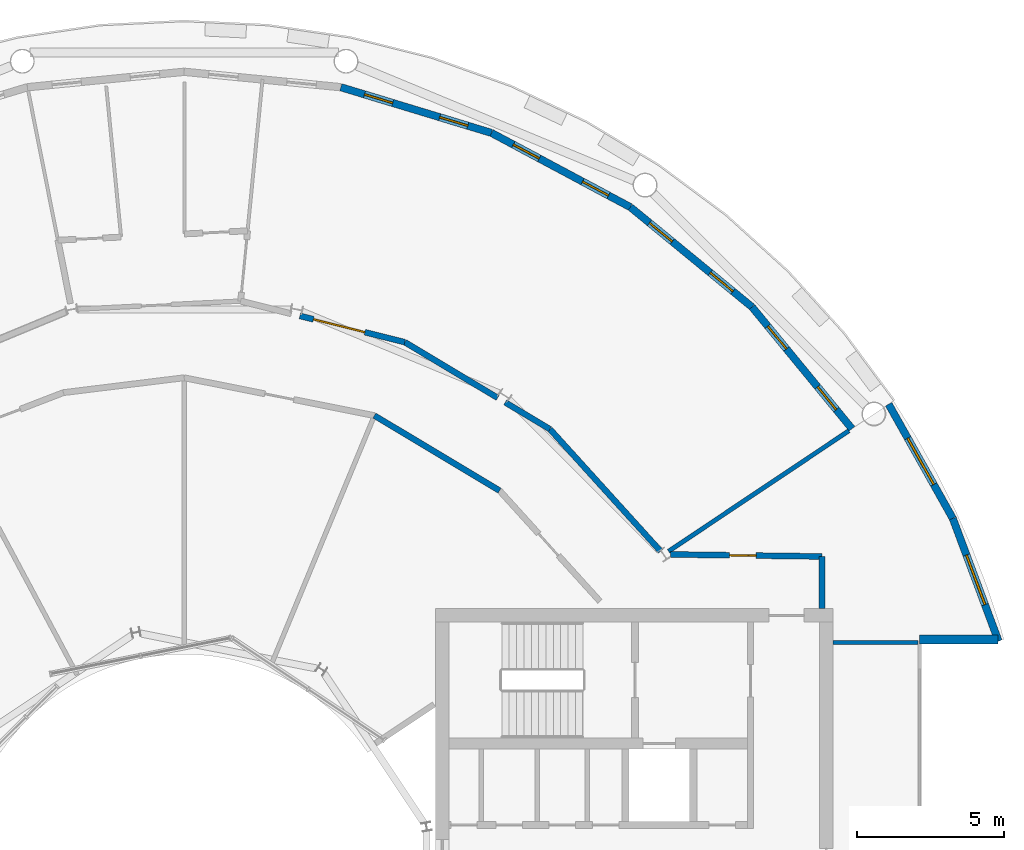
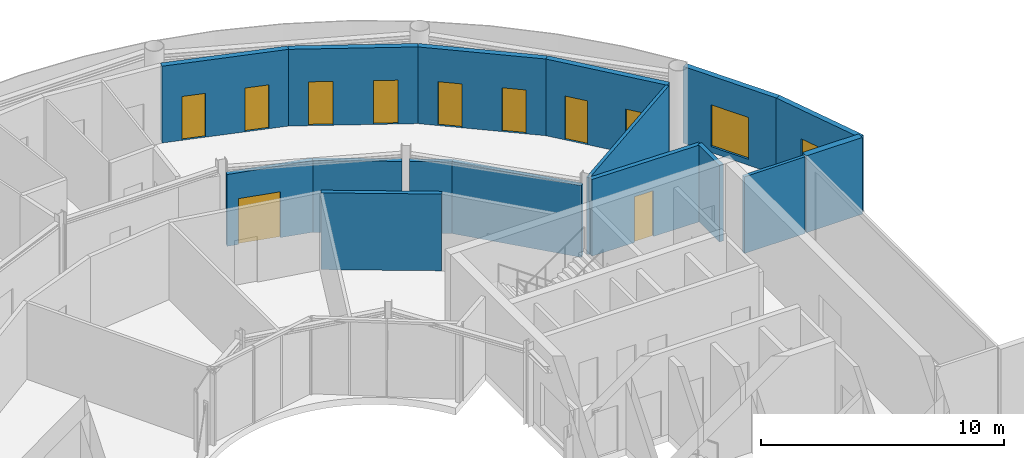
# One storey, part 19 of 22: 16 walls, 10 doors, 2 windows, 12 openings.
"""IFC4 building model written with IfcOpenShell, lengths in metres."""

import ifcopenshell
import ifcopenshell.guid

model = None  # the IFC model being written
_history = None  # IfcOwnerHistory: only IFC2X3 demands one
_inside = {}  # id of a spatial element -> (the spatial element, [elements in it])
_under = {}  # id of a project, library or spatial element -> (it, [spatial elements below it])
_declared = {}  # id of a project -> (the project, [libraries it declares])
_typed = {}  # id of a type object -> (the type object, [elements of that type])
_made_of = {}  # id of a material, layer set ... -> (it, [elements and type objects made of it])


def new_model(schema):
    """Start an empty IFC model of exactly this schema.

    Asked for "IFC4X3", IfcOpenShell would pick the latest addendum, in which some entities
    have other attributes; the version numbers below select the first issue.
    IFC2X3 requires an IfcOwnerHistory on every rooted entity: one is made here for all.
    """
    global model, _history
    if schema == "IFC4X3":
        model = ifcopenshell.file(schema_version=(4, 3, 0, 0))
    else:
        model = ifcopenshell.file(schema=schema)
    _inside.clear()
    _under.clear()
    _declared.clear()
    _typed.clear()
    _made_of.clear()
    _history = None
    if model.schema == "IFC2X3":
        org = make("IfcOrganization", Name="unknown")
        user = make(
            "IfcPersonAndOrganization",
            ThePerson=make("IfcPerson", FamilyName="unknown"),
            TheOrganization=org,
        )
        app = make(
            "IfcApplication",
            ApplicationDeveloper=org,
            Version="unknown",
            ApplicationFullName="unknown",
            ApplicationIdentifier="unknown",
        )
        _history = make(
            "IfcOwnerHistory",
            OwningUser=user,
            OwningApplication=app,
            ChangeAction="ADDED",
            CreationDate=0,
        )
    return model


def make(cls, **values):
    """One entity of the class cls with the attributes given. An attribute that is None is left unset."""
    return model.create_entity(
        cls, **{name: value for name, value in values.items() if value is not None}
    )


def rooted(cls, **values):
    """An entity with a GlobalId (a new one), such as an element, a storey or a relation."""
    return make(cls, GlobalId=ifcopenshell.guid.new(), OwnerHistory=_history, **values)


def si_unit(unit_type, name, prefix=None):
    """IfcSIUnit, for example si_unit("LENGTHUNIT", "METRE", prefix="MILLI")."""
    return make("IfcSIUnit", UnitType=unit_type, Prefix=prefix, Name=name)


def assignment(units):
    """IfcUnitAssignment: the units of a project."""
    return None if units is None else make("IfcUnitAssignment", Units=units)


def point(xyz):
    """IfcCartesianPoint."""
    return None if xyz is None else make("IfcCartesianPoint", Coordinates=xyz)


def direction(xyz):
    """IfcDirection."""
    return None if xyz is None else make("IfcDirection", DirectionRatios=xyz)


def frame(location, z_axis=None, x_axis=None):
    """IfcAxis2Placement3D, a coordinate frame: its origin and axes. An axis left out is left unset."""
    return make(
        "IfcAxis2Placement3D",
        Location=point(location),
        Axis=direction(z_axis),
        RefDirection=direction(x_axis),
    )


def frame_2d(location, x_axis=None):
    """IfcAxis2Placement2D, a coordinate frame in the plane: its origin and x axis."""
    return make(
        "IfcAxis2Placement2D", Location=point(location), RefDirection=direction(x_axis)
    )


def origin():
    """The frame at (0, 0, 0) with its axes left unset."""
    return frame((0.0, 0.0, 0.0))


def place(relative_to, where):
    """IfcLocalPlacement: puts the frame where relative to a parent placement (None: the world)."""
    return make(
        "IfcLocalPlacement", PlacementRelTo=relative_to, RelativePlacement=where
    )


def context(
    kind, dimensions, precision=None, world=None, true_north=None, identifier=None
):
    """IfcGeometricRepresentationContext, for example the 3D "Model" context."""
    return make(
        "IfcGeometricRepresentationContext",
        ContextIdentifier=identifier,
        ContextType=kind,
        CoordinateSpaceDimension=dimensions,
        Precision=precision,
        WorldCoordinateSystem=world,
        TrueNorth=true_north,
    )


def subcontext(parent, identifier, kind, view, scale=None):
    """IfcGeometricRepresentationSubContext, for example "Body" below "Model"."""
    return make(
        "IfcGeometricRepresentationSubContext",
        ContextIdentifier=identifier,
        ContextType=kind,
        ParentContext=parent,
        TargetScale=scale,
        TargetView=view,
    )


def project(units=None, contexts=None):
    """IfcProject with its units and contexts."""
    return rooted(
        "IfcProject",
        Name="project",
        RepresentationContexts=contexts,
        UnitsInContext=assignment(units),
    )


def spatial(cls, under=None, at=None, **own):
    """A site, building, storey or space (cls), placed at a placement, below another one or the project."""
    s = rooted(cls, ObjectPlacement=at, **own)
    if under is not None:
        _under.setdefault(under.id(), (under, []))[1].append(s)
    return s


def profile(cls, at=None, kind="AREA", **sizes):
    """A parametric profile (cls). Its sizes go by their IFC names, for example OverallWidth=200.0."""
    return make(cls, ProfileType=kind, Position=at, **sizes)


def rectangle(**sizes):
    """IfcRectangleProfileDef."""
    return profile("IfcRectangleProfileDef", **sizes)


def extrude(swept, where, along, depth):
    """IfcExtrudedAreaSolid: the profile swept, set in the frame where, extruded along a direction by depth."""
    return make(
        "IfcExtrudedAreaSolid",
        SweptArea=swept,
        Position=where,
        ExtrudedDirection=direction(along),
        Depth=depth,
    )


def shape(context_of_items, identifier, shape_type, items):
    """IfcShapeRepresentation: the items that make up one representation, for example the "Body"."""
    return make(
        "IfcShapeRepresentation",
        ContextOfItems=context_of_items,
        RepresentationIdentifier=identifier,
        RepresentationType=shape_type,
        Items=items,
    )


def material(Name=None, Category=None):
    """IfcMaterial."""
    return make("IfcMaterial", Name=Name, Category=Category)


def layer(
    of_material, thickness, ventilated=None, Name=None, Category=None, Priority=None
):
    """IfcMaterialLayer: one layer of a wall or slab, of a material (None: an air gap)."""
    return make(
        "IfcMaterialLayer",
        Material=of_material,
        LayerThickness=thickness,
        IsVentilated=ventilated,
        Name=Name,
        Category=Category,
        Priority=Priority,
    )


def layer_set(layers, Name=None):
    """IfcMaterialLayerSet."""
    return make("IfcMaterialLayerSet", MaterialLayers=layers, LayerSetName=Name)


def made_of(thing, what):
    """Note that an element or type object is made of a material, layer set ...; save() writes the relation."""
    if what is not None:
        _made_of.setdefault(what.id(), (what, []))[1].append(thing)
    return thing


def type_object(cls, material=None, **own):
    """A type object (cls), such as IfcWallType, which elements share."""
    return made_of(rooted(cls, **own), material)


def element(
    cls,
    number,
    at=None,
    inside=None,
    cuts=None,
    type_object=None,
    material=None,
    context=None,
    identifier="Body",
    shape_type=None,
    held_by="IfcProductDefinitionShape",
    body=None,
    shapes=None,
    **own,
):
    """One element of the class cls, such as IfcWall. Its Tag is "e" and its number.

    at: its placement. inside: the storey or other place that contains it. cuts: it is an
    opening in that element (IfcRelVoidsElement). A single representation is given by context,
    identifier, shape_type and body (its items); several are given by shapes. held_by: the class
    of the entity that holds the representations. save() writes the other relations.
    """
    e = rooted(cls, Tag="e%d" % number, ObjectPlacement=at, **own)
    if body is not None:
        shapes = [shape(context, identifier, shape_type, body)]
    if shapes is not None:
        e.Representation = make(held_by, Representations=shapes)
    if inside is not None:
        _inside.setdefault(inside.id(), (inside, []))[1].append(e)
    if cuts is not None:
        rooted(
            "IfcRelVoidsElement", RelatingBuildingElement=cuts, RelatedOpeningElement=e
        )
    if type_object is not None:
        _typed.setdefault(type_object.id(), (type_object, []))[1].append(e)
    return made_of(e, material)


def fill(opening, filler):
    """IfcRelFillsElement: the door or window that sits in an opening."""
    return rooted(
        "IfcRelFillsElement",
        RelatingOpeningElement=opening,
        RelatedBuildingElement=filler,
    )


def aggregate(whole, parts):
    """IfcRelAggregates: a whole, such as a stair, and the parts it consists of."""
    return rooted("IfcRelAggregates", RelatingObject=whole, RelatedObjects=parts)


def save(model, path):
    """Write the relations noted so far, then the file.

    IfcRelAggregates (storeys below a building ...), IfcRelContainedInSpatialStructure (elements
    in a storey), IfcRelDefinesByType, IfcRelAssociatesMaterial and IfcRelDeclares: one each for
    every whole, place, type object, material and project.
    """
    for whole, parts in _under.values():
        aggregate(whole, parts)
    for where, things in _inside.values():
        rooted(
            "IfcRelContainedInSpatialStructure",
            RelatedElements=things,
            RelatingStructure=where,
        )
    for kind, things in _typed.values():
        rooted("IfcRelDefinesByType", RelatedObjects=things, RelatingType=kind)
    for what, things in _made_of.values():
        rooted("IfcRelAssociatesMaterial", RelatedObjects=things, RelatingMaterial=what)
    for by, libraries in _declared.values():
        rooted("IfcRelDeclares", RelatingContext=by, RelatedDefinitions=libraries)
    model.write(path)


model = new_model("IFC4")

# Units and contexts
model_context = context("Model", 3, precision=1e-05, world=origin(), true_north=direction((0.0, 1.0)))
body_context = subcontext(model_context, "Body", "Model", "MODEL_VIEW")
ifc_project = project(units=[si_unit("LENGTHUNIT", "METRE"), si_unit("AREAUNIT", "SQUARE_METRE"), si_unit("VOLUMEUNIT", "CUBIC_METRE"), si_unit("PLANEANGLEUNIT", "RADIAN"), si_unit("MASSUNIT", "GRAM", prefix="KILO")], contexts=[model_context])

# Site, building, storey
site_placement = place(None, origin())
site = spatial("IfcSite", under=ifc_project, at=site_placement, CompositionType="ELEMENT")
building_placement = place(site_placement, origin())
building = spatial("IfcBuilding", under=site, at=building_placement, Name="Maasbend Ring Residences", CompositionType="ELEMENT")
storey_placement = place(building_placement, frame((0.0, 0.0, 208.5)))
storey = spatial("IfcBuildingStorey", under=building, at=storey_placement, Name="L60", CompositionType="ELEMENT", Elevation=208.5)

# Wall
ifc_material_1 = material(Name="Concrete C30/37", Category="concrete")
ifc_layer_1 = layer(ifc_material_1, 0.199951171875)
ifc_layer_set_1 = layer_set([ifc_layer_1], Name="Concrete C30/37")
wall_type_1 = type_object("IfcWallType", Name="CORRIDOR WALL 200 CONCRETE", PredefinedType="PARTITIONING", material=ifc_layer_set_1)
wall_1_placement = place(storey_placement, frame((21.675048828125, 9.050048828125, 0.0), z_axis=(0.0, 0.0, 1.0), x_axis=(0.0, 1.0, 0.0)))
element("IfcWall", 1, at=wall_1_placement, inside=storey, type_object=wall_type_1, Name="U-L60-w003", PredefinedType="PARTITIONING", context=body_context, shape_type="SweptSolid", body=[
    extrude(rectangle(XDim=1.77490234375, YDim=0.199951171875, at=frame_2d((0.887451171875, 0.0))), origin(), (0.0, 0.0, 1.0), 3.85009765625),
])

# Wall, opening, door
wall_2_placement = place(storey_placement, frame((16.533935546875, 10.89404296875, 0.0), z_axis=(0.0, 0.0, 1.0), x_axis=(0.999909707888, -0.013437859594, 0.0)))
wall_2 = element("IfcWall", 2, at=wall_2_placement, inside=storey, type_object=wall_type_1, Name="U-L60-w049", PredefinedType="PARTITIONING", context=body_context, shape_type="SweptSolid", body=[
    extrude(rectangle(XDim=5.1416015625, YDim=0.199951171875, at=frame_2d((2.57080078125, 0.0))), origin(), (0.0, 0.0, 1.0), 3.85009765625),
])
opening_1_placement = place(wall_2_placement, frame((2.008056640625, 0.0, 0.0)))
opening_1 = element("IfcOpeningElement", 3, at=opening_1_placement, cuts=wall_2, Name="Opening D-6026", PredefinedType="OPENING", context=body_context, shape_type="SweptSolid", body=[
    extrude(rectangle(XDim=0.89990234375, YDim=2.300048828125, at=frame_2d((0.449951171875, 1.14990234375))), frame((0.0, 0.10986328125, 0.0), z_axis=(0.0, -1.0, 0.0), x_axis=(1.0, 0.0, 0.0)), (0.0, 0.0, 1.0), 0.219970703125),
])
ifc_material_2 = material(Name="Steel, fire-rated, painted", Category="steel")
door_type_1 = type_object("IfcDoorType", Name="SERVICE DOOR 900 X 2300 FIRE-RATED", OperationType="NOTDEFINED", PredefinedType="DOOR", material=ifc_material_2)
door_1_placement = place(opening_1_placement, origin())
door_1 = element("IfcDoor", 4, at=door_1_placement, inside=storey, type_object=door_type_1, Name="D-6026", OperationType="SINGLE_SWING_LEFT", OverallHeight=2.300048828125, OverallWidth=0.89990234375, PredefinedType="DOOR", context=body_context, shape_type="SweptSolid", body=[
    extrude(rectangle(XDim=0.89990234375, YDim=2.300048828125, at=frame_2d((0.449951171875, 1.14990234375))), frame((0.0, 0.02490234375, 0.0), z_axis=(0.0, -1.0, 0.0), x_axis=(1.0, 0.0, 0.0)), (0.0, 0.0, 1.0), 0.050048828125),
])
fill(opening_1, door_1)

# Wall
wall_3_placement = place(storey_placement, frame((6.467041015625, 15.614013671875, 0.0), z_axis=(0.0, 0.0, 1.0), x_axis=(0.857696997328, -0.514155483074, 0.0)))
element("IfcWall", 5, at=wall_3_placement, inside=storey, type_object=wall_type_1, Name="U-L60-w051", PredefinedType="PARTITIONING", context=body_context, shape_type="SweptSolid", body=[
    extrude(rectangle(XDim=4.959716796875, YDim=0.199951171875, at=frame_2d((2.47998046875, 0.0))), origin(), (0.0, 0.0, 1.0), 3.85009765625),
])

# Wall, opening, door
wall_4_placement = place(storey_placement, frame((3.93310546875, 19.001953125, 0.0), z_axis=(0.0, 0.0, 1.0), x_axis=(0.970009604092, -0.243066591637, 0.0)))
wall_4 = element("IfcWall", 6, at=wall_4_placement, inside=storey, type_object=wall_type_1, Name="U-L60-w061", PredefinedType="PARTITIONING", context=body_context, shape_type="SweptSolid", body=[
    extrude(rectangle(XDim=3.67822265625, YDim=0.199951171875, at=frame_2d((1.839111328125, 0.0))), origin(), (0.0, 0.0, 1.0), 3.60009765625),
])
opening_2_placement = place(wall_4_placement, frame((0.47607421875, 0.0, 0.0)))
opening_2 = element("IfcOpeningElement", 7, at=opening_2_placement, cuts=wall_4, Name="Opening D-6008", PredefinedType="OPENING", context=body_context, shape_type="SweptSolid", body=[
    extrude(rectangle(XDim=1.800048828125, YDim=2.300048828125, at=frame_2d((0.89990234375, 1.14990234375))), frame((0.0, 0.10986328125, 0.0), z_axis=(0.0, -1.0, 0.0), x_axis=(1.0, 0.0, 0.0)), (0.0, 0.0, 1.0), 0.219970703125),
])
ifc_material_3 = material(Name="Timber, painted", Category="wood")
door_type_2 = type_object("IfcDoorType", Name="DOUBLE DOOR 1800 X 2300", OperationType="NOTDEFINED", PredefinedType="DOOR", material=ifc_material_3)
door_2_placement = place(opening_2_placement, origin())
door_2 = element("IfcDoor", 8, at=door_2_placement, inside=storey, type_object=door_type_2, Name="D-6008", OperationType="DOUBLE_DOOR_SINGLE_SWING", OverallHeight=2.300048828125, OverallWidth=1.800048828125, PredefinedType="DOOR", context=body_context, shape_type="SweptSolid", body=[
    extrude(rectangle(XDim=1.800048828125, YDim=2.300048828125, at=frame_2d((0.89990234375, 1.14990234375))), frame((0.0, 0.02490234375, 0.0), z_axis=(0.0, -1.0, 0.0), x_axis=(1.0, 0.0, 0.0)), (0.0, 0.0, 1.0), 0.050048828125),
])
fill(opening_2, door_2)

# Walls
wall_5_placement = place(storey_placement, frame((7.5009765625, 18.10791015625, 0.0), z_axis=(0.0, 0.0, 1.0), x_axis=(0.857750505244, -0.514066212421, 0.0)))
element("IfcWall", 9, at=wall_5_placement, inside=storey, type_object=wall_type_1, Name="U-L60-w062", PredefinedType="PARTITIONING", context=body_context, shape_type="SweptSolid", body=[
    extrude(rectangle(XDim=3.67822265625, YDim=0.199951171875, at=frame_2d((1.839111328125, 0.0))), origin(), (0.0, 0.0, 1.0), 3.60009765625),
])
wall_6_placement = place(storey_placement, frame((10.9130859375, 16.06298828125, 0.0), z_axis=(0.0, 0.0, 1.0), x_axis=(0.857614365469, -0.514293301668, 0.0)))
element("IfcWall", 10, at=wall_6_placement, inside=storey, type_object=wall_type_1, Name="U-L60-w063", PredefinedType="PARTITIONING", context=body_context, shape_type="SweptSolid", body=[
    extrude(rectangle(XDim=1.7734375, YDim=0.199951171875, at=frame_2d((0.88671875, 0.0))), origin(), (0.0, 0.0, 1.0), 3.60009765625),
])
wall_7_placement = place(storey_placement, frame((12.43408203125, 15.15087890625, 0.0), z_axis=(0.0, 0.0, 1.0), x_axis=(0.671619657805, -0.740896102871, 0.0)))
element("IfcWall", 11, at=wall_7_placement, inside=storey, type_object=wall_type_1, Name="U-L60-w064", PredefinedType="PARTITIONING", context=body_context, shape_type="SweptSolid", body=[
    extrude(rectangle(XDim=5.599853515625, YDim=0.199951171875, at=frame_2d((2.7998046875, 0.0))), origin(), (0.0, 0.0, 1.0), 3.60009765625),
])

# Wall, openings, doors
ifc_material_4 = material(Name="Aluminium clad insulated panel", Category="aluminium")
ifc_layer_2 = layer(ifc_material_4, 0.25)
ifc_layer_set_2 = layer_set([ifc_layer_2], Name="EW-GL")
wall_type_2 = type_object("IfcWallType", Name="EW-GL", PredefinedType="SOLIDWALL", material=ifc_layer_set_2)
wall_8_placement = place(storey_placement, frame((22.698974609375, 15.1669921875, 0.0), z_axis=(0.0, 0.0, 1.0), x_axis=(-0.634382322723, 0.773019449054, 0.0)))
wall_8 = element("IfcWall", 12, at=wall_8_placement, inside=storey, type_object=wall_type_2, Name="External wall N01", PredefinedType="SOLIDWALL", context=body_context, shape_type="SweptSolid", body=[
    extrude(rectangle(XDim=5.351806640625, YDim=0.25, at=frame_2d((2.67578125, 0.0))), origin(), (0.0, 0.0, 1.0), 3.85009765625),
])
opening_3_placement = place(wall_8_placement, frame((0.841064453125, 0.0, 0.0)))
opening_3 = element("IfcOpeningElement", 13, at=opening_3_placement, cuts=wall_8, Name="Opening D-LG", PredefinedType="OPENING", context=body_context, shape_type="SweptSolid", body=[
    extrude(rectangle(XDim=1.0, YDim=2.199951171875, at=frame_2d((0.5, 1.10009765625))), frame((0.0, 0.135009765625, 0.0), z_axis=(0.0, -1.0, 0.0), x_axis=(1.0, 0.0, 0.0)), (0.0, 0.0, 1.0), 0.27001953125),
])
opening_4_placement = place(wall_8_placement, frame((3.510498046875, 0.0, 0.0)))
opening_4 = element("IfcOpeningElement", 14, at=opening_4_placement, cuts=wall_8, Name="Opening D-LG", PredefinedType="OPENING", context=body_context, shape_type="SweptSolid", body=[
    extrude(rectangle(XDim=1.0, YDim=2.199951171875, at=frame_2d((0.5, 1.10009765625))), frame((0.0, 0.135009765625, 0.0), z_axis=(0.0, -1.0, 0.0), x_axis=(1.0, 0.0, 0.0)), (0.0, 0.0, 1.0), 0.27001953125),
])
ifc_material_5 = material(Name="Aluminium and clear glass", Category="aluminium")
door_type_3 = type_object("IfcDoorType", Name="D-LG", OperationType="SINGLE_SWING_LEFT", PredefinedType="DOOR", material=ifc_material_5)
door_3_placement = place(opening_3_placement, origin())
door_3 = element("IfcDoor", 15, at=door_3_placement, inside=storey, type_object=door_type_3, Name="Loggia door N01", OperationType="SINGLE_SWING_LEFT", OverallHeight=2.199951171875, OverallWidth=1.0, PredefinedType="DOOR", context=body_context, shape_type="SweptSolid", body=[
    extrude(rectangle(XDim=1.0, YDim=2.199951171875, at=frame_2d((0.5, 1.10009765625))), frame((0.0, 0.02490234375, 0.0), z_axis=(0.0, -1.0, 0.0), x_axis=(1.0, 0.0, 0.0)), (0.0, 0.0, 1.0), 0.050048828125),
])
fill(opening_3, door_3)
door_4_placement = place(opening_4_placement, origin())
door_4 = element("IfcDoor", 16, at=door_4_placement, inside=storey, type_object=door_type_3, Name="Loggia door N02", OperationType="SINGLE_SWING_LEFT", OverallHeight=2.199951171875, OverallWidth=1.0, PredefinedType="DOOR", context=body_context, shape_type="SweptSolid", body=[
    extrude(rectangle(XDim=1.0, YDim=2.199951171875, at=frame_2d((0.5, 1.10009765625))), frame((0.0, 0.02490234375, 0.0), z_axis=(0.0, -1.0, 0.0), x_axis=(1.0, 0.0, 0.0)), (0.0, 0.0, 1.0), 0.050048828125),
])
fill(opening_4, door_4)

wall_9_placement = place(storey_placement, frame((19.303955078125, 19.303955078125, 0.0), z_axis=(0.0, 0.0, 1.0), x_axis=(-0.773019449054, 0.634382322723, 0.0)))
wall_9 = element("IfcWall", 17, at=wall_9_placement, inside=storey, type_object=wall_type_2, Name="External wall N02", PredefinedType="SOLIDWALL", context=body_context, shape_type="SweptSolid", body=[
    extrude(rectangle(XDim=5.351806640625, YDim=0.25, at=frame_2d((2.67578125, 0.0))), origin(), (0.0, 0.0, 1.0), 3.85009765625),
])
opening_5_placement = place(wall_9_placement, frame((0.841064453125, 0.0, 0.0)))
opening_5 = element("IfcOpeningElement", 18, at=opening_5_placement, cuts=wall_9, Name="Opening D-LG", PredefinedType="OPENING", context=body_context, shape_type="SweptSolid", body=[
    extrude(rectangle(XDim=1.0, YDim=2.199951171875, at=frame_2d((0.5, 1.10009765625))), frame((0.0, 0.135009765625, 0.0), z_axis=(0.0, -1.0, 0.0), x_axis=(1.0, 0.0, 0.0)), (0.0, 0.0, 1.0), 0.27001953125),
])
opening_6_placement = place(wall_9_placement, frame((3.510498046875, 0.0, 0.0)))
opening_6 = element("IfcOpeningElement", 19, at=opening_6_placement, cuts=wall_9, Name="Opening D-LG", PredefinedType="OPENING", context=body_context, shape_type="SweptSolid", body=[
    extrude(rectangle(XDim=1.0, YDim=2.199951171875, at=frame_2d((0.5, 1.10009765625))), frame((0.0, 0.135009765625, 0.0), z_axis=(0.0, -1.0, 0.0), x_axis=(1.0, 0.0, 0.0)), (0.0, 0.0, 1.0), 0.27001953125),
])
door_5_placement = place(opening_5_placement, origin())
door_5 = element("IfcDoor", 20, at=door_5_placement, inside=storey, type_object=door_type_3, Name="Loggia door N03", OperationType="SINGLE_SWING_LEFT", OverallHeight=2.199951171875, OverallWidth=1.0, PredefinedType="DOOR", context=body_context, shape_type="SweptSolid", body=[
    extrude(rectangle(XDim=1.0, YDim=2.199951171875, at=frame_2d((0.5, 1.10009765625))), frame((0.0, 0.02490234375, 0.0), z_axis=(0.0, -1.0, 0.0), x_axis=(1.0, 0.0, 0.0)), (0.0, 0.0, 1.0), 0.050048828125),
])
fill(opening_5, door_5)
door_6_placement = place(opening_6_placement, origin())
door_6 = element("IfcDoor", 21, at=door_6_placement, inside=storey, type_object=door_type_3, Name="Loggia door N04", OperationType="SINGLE_SWING_LEFT", OverallHeight=2.199951171875, OverallWidth=1.0, PredefinedType="DOOR", context=body_context, shape_type="SweptSolid", body=[
    extrude(rectangle(XDim=1.0, YDim=2.199951171875, at=frame_2d((0.5, 1.10009765625))), frame((0.0, 0.02490234375, 0.0), z_axis=(0.0, -1.0, 0.0), x_axis=(1.0, 0.0, 0.0)), (0.0, 0.0, 1.0), 0.050048828125),
])
fill(opening_6, door_6)

wall_10_placement = place(storey_placement, frame((15.1669921875, 22.698974609375, 0.0), z_axis=(0.0, 0.0, 1.0), x_axis=(-0.881915646801, 0.471407246368, 0.0)))
wall_10 = element("IfcWall", 22, at=wall_10_placement, inside=storey, type_object=wall_type_2, Name="External wall N03", PredefinedType="SOLIDWALL", context=body_context, shape_type="SweptSolid", body=[
    extrude(rectangle(XDim=5.35205078125, YDim=0.25, at=frame_2d((2.676025390625, 0.0))), origin(), (0.0, 0.0, 1.0), 3.85009765625),
])
opening_7_placement = place(wall_10_placement, frame((0.841064453125, 0.0, 0.0)))
opening_7 = element("IfcOpeningElement", 23, at=opening_7_placement, cuts=wall_10, Name="Opening D-LG", PredefinedType="OPENING", context=body_context, shape_type="SweptSolid", body=[
    extrude(rectangle(XDim=1.0, YDim=2.199951171875, at=frame_2d((0.5, 1.10009765625))), frame((0.0, 0.135009765625, 0.0), z_axis=(0.0, -1.0, 0.0), x_axis=(1.0, 0.0, 0.0)), (0.0, 0.0, 1.0), 0.27001953125),
])
opening_8_placement = place(wall_10_placement, frame((3.510498046875, 0.0, 0.0)))
opening_8 = element("IfcOpeningElement", 24, at=opening_8_placement, cuts=wall_10, Name="Opening D-LG", PredefinedType="OPENING", context=body_context, shape_type="SweptSolid", body=[
    extrude(rectangle(XDim=1.0, YDim=2.199951171875, at=frame_2d((0.5, 1.10009765625))), frame((0.0, 0.135009765625, 0.0), z_axis=(0.0, -1.0, 0.0), x_axis=(1.0, 0.0, 0.0)), (0.0, 0.0, 1.0), 0.27001953125),
])
door_7_placement = place(opening_7_placement, origin())
door_7 = element("IfcDoor", 25, at=door_7_placement, inside=storey, type_object=door_type_3, Name="Loggia door N05", OperationType="SINGLE_SWING_LEFT", OverallHeight=2.199951171875, OverallWidth=1.0, PredefinedType="DOOR", context=body_context, shape_type="SweptSolid", body=[
    extrude(rectangle(XDim=1.0, YDim=2.199951171875, at=frame_2d((0.5, 1.10009765625))), frame((0.0, 0.02490234375, 0.0), z_axis=(0.0, -1.0, 0.0), x_axis=(1.0, 0.0, 0.0)), (0.0, 0.0, 1.0), 0.050048828125),
])
fill(opening_7, door_7)
door_8_placement = place(opening_8_placement, origin())
door_8 = element("IfcDoor", 26, at=door_8_placement, inside=storey, type_object=door_type_3, Name="Loggia door N06", OperationType="SINGLE_SWING_LEFT", OverallHeight=2.199951171875, OverallWidth=1.0, PredefinedType="DOOR", context=body_context, shape_type="SweptSolid", body=[
    extrude(rectangle(XDim=1.0, YDim=2.199951171875, at=frame_2d((0.5, 1.10009765625))), frame((0.0, 0.02490234375, 0.0), z_axis=(0.0, -1.0, 0.0), x_axis=(1.0, 0.0, 0.0)), (0.0, 0.0, 1.0), 0.050048828125),
])
fill(opening_8, door_8)

wall_11_placement = place(storey_placement, frame((10.447021484375, 25.221923828125, 0.0), z_axis=(0.0, 0.0, 1.0), x_axis=(-0.956965678721, 0.290201119486, 0.0)))
wall_11 = element("IfcWall", 27, at=wall_11_placement, inside=storey, type_object=wall_type_2, Name="External wall N04", PredefinedType="SOLIDWALL", context=body_context, shape_type="SweptSolid", body=[
    extrude(rectangle(XDim=5.351318359375, YDim=0.25, at=frame_2d((2.67578125, 0.0))), origin(), (0.0, 0.0, 1.0), 3.85009765625),
])
opening_9_placement = place(wall_11_placement, frame((0.841064453125, 0.0, 0.0)))
opening_9 = element("IfcOpeningElement", 28, at=opening_9_placement, cuts=wall_11, Name="Opening D-LG", PredefinedType="OPENING", context=body_context, shape_type="SweptSolid", body=[
    extrude(rectangle(XDim=1.0, YDim=2.199951171875, at=frame_2d((0.5, 1.10009765625))), frame((0.0, 0.135009765625, 0.0), z_axis=(0.0, -1.0, 0.0), x_axis=(1.0, 0.0, 0.0)), (0.0, 0.0, 1.0), 0.27001953125),
])
opening_10_placement = place(wall_11_placement, frame((3.510498046875, 0.0, 0.0)))
opening_10 = element("IfcOpeningElement", 29, at=opening_10_placement, cuts=wall_11, Name="Opening D-LG", PredefinedType="OPENING", context=body_context, shape_type="SweptSolid", body=[
    extrude(rectangle(XDim=1.0, YDim=2.199951171875, at=frame_2d((0.5, 1.10009765625))), frame((0.0, 0.135009765625, 0.0), z_axis=(0.0, -1.0, 0.0), x_axis=(1.0, 0.0, 0.0)), (0.0, 0.0, 1.0), 0.27001953125),
])
door_9_placement = place(opening_9_placement, origin())
door_9 = element("IfcDoor", 30, at=door_9_placement, inside=storey, type_object=door_type_3, Name="Loggia door N07", OperationType="SINGLE_SWING_LEFT", OverallHeight=2.199951171875, OverallWidth=1.0, PredefinedType="DOOR", context=body_context, shape_type="SweptSolid", body=[
    extrude(rectangle(XDim=1.0, YDim=2.199951171875, at=frame_2d((0.5, 1.10009765625))), frame((0.0, 0.02490234375, 0.0), z_axis=(0.0, -1.0, 0.0), x_axis=(1.0, 0.0, 0.0)), (0.0, 0.0, 1.0), 0.050048828125),
])
fill(opening_9, door_9)
door_10_placement = place(opening_10_placement, origin())
door_10 = element("IfcDoor", 31, at=door_10_placement, inside=storey, type_object=door_type_3, Name="Loggia door N08", OperationType="SINGLE_SWING_LEFT", OverallHeight=2.199951171875, OverallWidth=1.0, PredefinedType="DOOR", context=body_context, shape_type="SweptSolid", body=[
    extrude(rectangle(XDim=1.0, YDim=2.199951171875, at=frame_2d((0.5, 1.10009765625))), frame((0.0, 0.02490234375, 0.0), z_axis=(0.0, -1.0, 0.0), x_axis=(1.0, 0.0, 0.0)), (0.0, 0.0, 1.0), 0.050048828125),
])
fill(opening_10, door_10)

# Wall, opening, window
ifc_material_6 = material(Name="Aluminium clad insulated panel", Category="aluminium")
ifc_layer_3 = layer(ifc_material_6, 0.25)
ifc_layer_set_3 = layer_set([ifc_layer_3], Name="EW-HORN")
wall_type_3 = type_object("IfcWallType", Name="EW-HORN", PredefinedType="SOLIDWALL", material=ifc_layer_set_3)
wall_12_placement = place(storey_placement, frame((27.681884765625, 7.945068359375, 0.0), z_axis=(0.0, 0.0, 1.0), x_axis=(-0.349247811493, 0.937030397675, 0.0)))
wall_12 = element("IfcWall", 32, at=wall_12_placement, inside=storey, type_object=wall_type_3, Name="Horn wall 1.1", PredefinedType="SOLIDWALL", context=body_context, shape_type="SweptSolid", body=[
    extrude(rectangle(XDim=4.4521484375, YDim=0.25, at=frame_2d((2.22607421875, 0.0))), origin(), (0.0, 0.0, 1.0), 3.85009765625),
])
opening_11_placement = place(wall_12_placement, frame((1.32666015625, 0.0, 0.300048828125)))
opening_11 = element("IfcOpeningElement", 33, at=opening_11_placement, cuts=wall_12, Name="Opening W-BX", PredefinedType="OPENING", context=body_context, shape_type="SweptSolid", body=[
    extrude(rectangle(XDim=1.800048828125, YDim=2.10009765625, at=frame_2d((0.89990234375, 1.050048828125))), frame((0.0, 0.135009765625, 0.0), z_axis=(0.0, -1.0, 0.0), x_axis=(1.0, 0.0, 0.0)), (0.0, 0.0, 1.0), 0.27001953125),
])
ifc_material_7 = material(Name="Aluminium and clear glass", Category="aluminium")
window_type = type_object("IfcWindowType", Name="W-BX", PartitioningType="DOUBLE_PANEL_VERTICAL", PredefinedType="WINDOW", material=ifc_material_7)
window_1_placement = place(opening_11_placement, origin())
window_1 = element("IfcWindow", 34, at=window_1_placement, inside=storey, type_object=window_type, Name="Horn window 1.1", OverallHeight=2.10009765625, OverallWidth=1.800048828125, PartitioningType="SINGLE_PANEL", PredefinedType="WINDOW", context=body_context, shape_type="SweptSolid", body=[
    extrude(rectangle(XDim=1.800048828125, YDim=2.10009765625, at=frame_2d((0.89990234375, 1.050048828125))), frame((0.0, 0.030029296875, 0.0), z_axis=(0.0, -1.0, 0.0), x_axis=(1.0, 0.0, 0.0)), (0.0, 0.0, 1.0), 0.06005859375),
])
fill(opening_11, window_1)

wall_13_placement = place(storey_placement, frame((26.126953125, 12.116943359375, 0.0), z_axis=(0.0, 0.0, 1.0), x_axis=(-0.489696356642, 0.871893042919, 0.0)))
wall_13 = element("IfcWall", 35, at=wall_13_placement, inside=storey, type_object=wall_type_3, Name="Horn wall 1.2", PredefinedType="SOLIDWALL", context=body_context, shape_type="SweptSolid", body=[
    extrude(rectangle(XDim=4.45361328125, YDim=0.25, at=frame_2d((2.226806640625, 0.0))), origin(), (0.0, 0.0, 1.0), 3.85009765625),
])
opening_12_placement = place(wall_13_placement, frame((1.32666015625, 0.0, 0.300048828125)))
opening_12 = element("IfcOpeningElement", 36, at=opening_12_placement, cuts=wall_13, Name="Opening W-BX", PredefinedType="OPENING", context=body_context, shape_type="SweptSolid", body=[
    extrude(rectangle(XDim=1.800048828125, YDim=2.10009765625, at=frame_2d((0.89990234375, 1.050048828125))), frame((0.0, 0.135009765625, 0.0), z_axis=(0.0, -1.0, 0.0), x_axis=(1.0, 0.0, 0.0)), (0.0, 0.0, 1.0), 0.27001953125),
])
window_2_placement = place(opening_12_placement, origin())
window_2 = element("IfcWindow", 37, at=window_2_placement, inside=storey, type_object=window_type, Name="Horn window 1.2", OverallHeight=2.10009765625, OverallWidth=1.800048828125, PartitioningType="SINGLE_PANEL", PredefinedType="WINDOW", context=body_context, shape_type="SweptSolid", body=[
    extrude(rectangle(XDim=1.800048828125, YDim=2.10009765625, at=frame_2d((0.89990234375, 1.050048828125))), frame((0.0, 0.030029296875, 0.0), z_axis=(0.0, -1.0, 0.0), x_axis=(1.0, 0.0, 0.0)), (0.0, 0.0, 1.0), 0.06005859375),
])
fill(opening_12, window_2)

# Walls
ifc_material_8 = material(Name="Aluminium clad insulated panel", Category="aluminium")
ifc_layer_4 = layer(ifc_material_8, 0.300048828125)
ifc_layer_set_4 = layer_set([ifc_layer_4], Name="EW-RET")
wall_type_4 = type_object("IfcWallType", Name="EW-RET", PredefinedType="SOLIDWALL", material=ifc_layer_set_4)
wall_14_placement = place(storey_placement, frame((25.0, 8.0, 0.0), z_axis=(0.0, 0.0, 1.0), x_axis=(1.0, 0.0, 0.0)))
element("IfcWall", 38, at=wall_14_placement, inside=storey, type_object=wall_type_4, Name="Notch return wall east north", PredefinedType="SOLIDWALL", context=body_context, shape_type="SweptSolid", body=[
    extrude(rectangle(XDim=2.6669921875, YDim=0.300048828125, at=frame_2d((1.33349609375, 0.0))), origin(), (0.0, 0.0, 1.0), 3.85009765625),
])
ifc_material_9 = material(Name="Gypsum board on steel studs", Category="steel")
ifc_layer_5 = layer(ifc_material_9, 0.14990234375)
ifc_layer_set_5 = layer_set([ifc_layer_5], Name="PARTITION 150 EI 60")
wall_type_5 = type_object("IfcWallType", Name="PARTITION 150 EI 60", PredefinedType="PARTITIONING", material=ifc_layer_set_5)
wall_15_placement = place(storey_placement, frame((22.050048828125, 7.89990234375, 0.0), z_axis=(0.0, 0.0, 1.0), x_axis=(1.0, 0.0, 0.0)))
element("IfcWall", 39, at=wall_15_placement, inside=storey, type_object=wall_type_5, Name="L60 core E wall CITN", PredefinedType="PARTITIONING", context=body_context, shape_type="SweptSolid", body=[
    extrude(rectangle(XDim=2.889892578125, YDim=0.14990234375, at=frame_2d((1.44482421875, 0.0))), origin(), (0.0, 0.0, 1.0), 3.85009765625),
])
ifc_material_10 = material(Name="Gypsum board on steel studs", Category="steel")
ifc_layer_6 = layer(ifc_material_10, 0.14990234375)
ifc_layer_set_6 = layer_set([ifc_layer_6], Name="PARTITION 150 GYPSUM")
wall_type_6 = type_object("IfcWallType", Name="PARTITION 150 GYPSUM", PredefinedType="PARTITIONING", material=ifc_layer_set_6)
wall_16_placement = place(storey_placement, frame((16.462890625, 11.0, 0.0), z_axis=(0.0, 0.0, 1.0), x_axis=(0.831433566583, 0.555624175463, 0.0)))
element("IfcWall", 40, at=wall_16_placement, inside=storey, type_object=wall_type_6, Name="U-L60-w043", PredefinedType="PARTITIONING", context=body_context, shape_type="SweptSolid", body=[
    extrude(rectangle(XDim=7.375244140625, YDim=0.14990234375, at=frame_2d((3.6875, 0.0))), origin(), (0.0, 0.0, 1.0), 3.85009765625),
])

save(model, "model.ifc")
